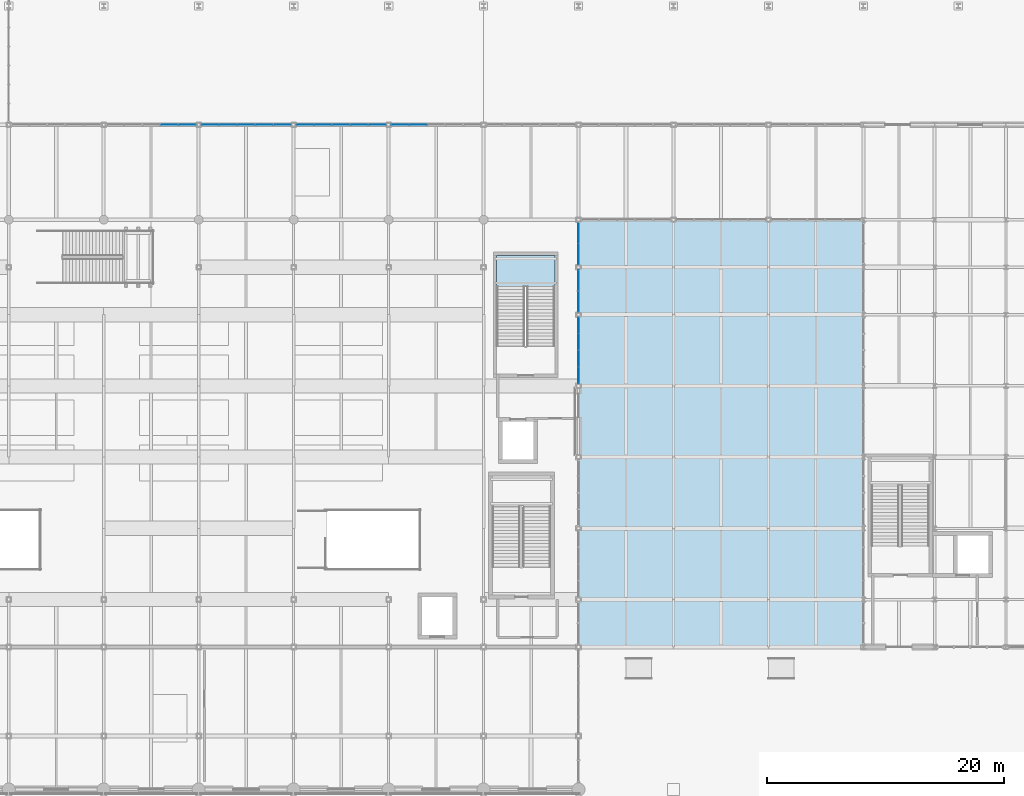
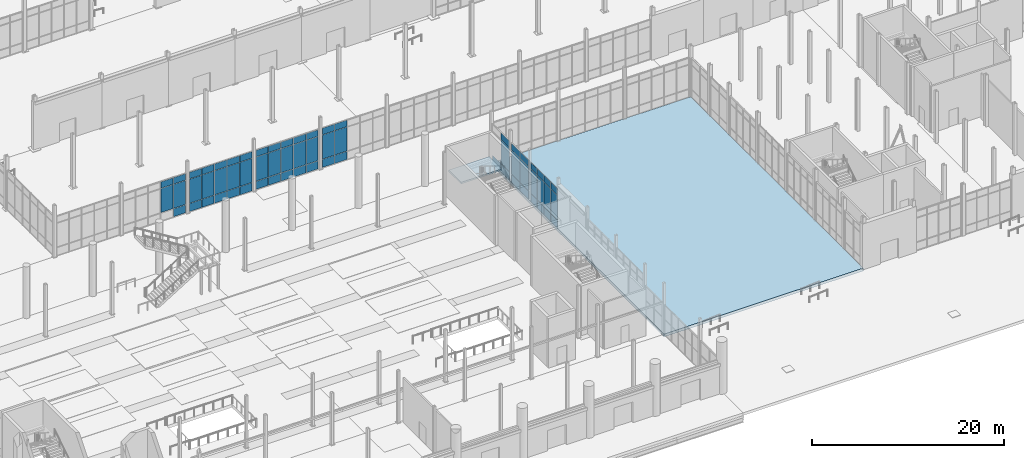
# One storey, part 100 of 140: 63 plates, 2 slabs, 8 elements without a shape of their own.
"""IFC4 building model written with IfcOpenShell, lengths in metres."""

from ifc_helpers import new_model, si_unit, direction, frame, origin, origin_2d, place, context, subcontext, project, spatial, polyline, rectangle, outline, extrude, material, layer, layer_set, type_object, element, aggregate, save


model = new_model("IFC4")

# Units and contexts
model_context = context("Model", 3, precision=1e-05, world=origin(), true_north=direction((0.0, 1.0)))
body_context = subcontext(model_context, "Body", "Model", "MODEL_VIEW")
ifc_project = project(units=[si_unit("LENGTHUNIT", "METRE"), si_unit("AREAUNIT", "SQUARE_METRE"), si_unit("VOLUMEUNIT", "CUBIC_METRE"), si_unit("PLANEANGLEUNIT", "RADIAN"), si_unit("MASSUNIT", "GRAM", prefix="KILO")], contexts=[model_context])

# Site, building, storey
site_placement = place(None, origin())
site = spatial("IfcSite", under=ifc_project, at=site_placement, CompositionType="ELEMENT")
building_placement = place(site_placement, origin())
building = spatial("IfcBuilding", under=site, at=building_placement, Name="Verrall Gate Interchange", CompositionType="ELEMENT")
storey_placement = place(building_placement, origin())
storey = spatial("IfcBuildingStorey", under=building, at=storey_placement, Name="L01", CompositionType="ELEMENT", Elevation=0.0)

# Curtain wall, plates
ifc_material_1 = material(Name="Thermally Broken Anodized Aluminium Curtain Wall Framing", Category="aluminium")
curtain_wall_type_1 = type_object("IfcCurtainWallType", Name="CW-05 Unitized Curtain Wall 3631x5100", PredefinedType="NOTDEFINED", material=ifc_material_1)
curtain_wall_1_placement = place(storey_placement, origin())
curtain_wall_1 = element("IfcCurtainWall", 1, at=curtain_wall_1_placement, inside=storey, type_object=curtain_wall_type_1, Name="L01 Unitized Curtain Wall CW-L01-008", PredefinedType="NOTDEFINED")
ifc_material_2 = material(Name="Triple-Glazed Low-E Argon Insulated Curtain Panel (U=1.45)", Category="glass")
ifc_layer_1 = layer(ifc_material_2, 0.030029296875)
ifc_layer_set_1 = layer_set([ifc_layer_1], Name="Triple-Glazed Low-E Argon Insulated Curtain Panel (U=1.45)")
plate_type_1 = type_object("IfcPlateType", Name="CP-01 Curtain Glazing Panel 30", PredefinedType="CURTAIN_PANEL", material=ifc_layer_set_1)
plate_1_placement = place(storey_placement, frame((108.0, 45.1083984375, 0.0546875), z_axis=(0.0, 0.0, 1.0), x_axis=(0.0, 1.0, 0.0)))
plate_1 = element("IfcPlate", 2, at=plate_1_placement, type_object=plate_type_1, Name="CW-L01-008 Glazing Panel 1.1", PredefinedType="CURTAIN_PANEL", context=body_context, shape_type="SweptSolid", body=[
    extrude(rectangle(XDim=1.73876953125, YDim=0.030029296875, at=origin_2d()), origin(), (0.0, 0.0, 1.0), 1.023193359375),
])
plate_2_placement = place(storey_placement, frame((108.0, 45.1083984375, 1.1220703125), z_axis=(0.0, 0.0, 1.0), x_axis=(0.0, 1.0, 0.0)))
plate_2 = element("IfcPlate", 3, at=plate_2_placement, type_object=plate_type_1, Name="CW-L01-008 Glazing Panel 1.2", PredefinedType="CURTAIN_PANEL", context=body_context, shape_type="SweptSolid", body=[
    extrude(rectangle(XDim=1.73876953125, YDim=0.030029296875, at=origin_2d()), origin(), (0.0, 0.0, 1.0), 3.055908203125),
])
plate_3_placement = place(storey_placement, frame((108.0, 45.1083984375, 4.22216796875), z_axis=(0.0, 0.0, 1.0), x_axis=(0.0, 1.0, 0.0)))
plate_3 = element("IfcPlate", 4, at=plate_3_placement, type_object=plate_type_1, Name="CW-L01-008 Glazing Panel 1.3", PredefinedType="CURTAIN_PANEL", context=body_context, shape_type="SweptSolid", body=[
    extrude(rectangle(XDim=1.73876953125, YDim=0.030029296875, at=origin_2d()), origin(), (0.0, 0.0, 1.0), 0.8232421875),
])
plate_4_placement = place(storey_placement, frame((108.0, 46.8916015625, 0.0546875), z_axis=(0.0, 0.0, 1.0), x_axis=(0.0, 1.0, 0.0)))
plate_4 = element("IfcPlate", 5, at=plate_4_placement, type_object=plate_type_1, Name="CW-L01-008 Glazing Panel 2.1", PredefinedType="CURTAIN_PANEL", context=body_context, shape_type="SweptSolid", body=[
    extrude(rectangle(XDim=1.73876953125, YDim=0.030029296875, at=origin_2d()), origin(), (0.0, 0.0, 1.0), 1.023193359375),
])
aggregate(curtain_wall_1, [plate_1, plate_2, plate_3, plate_4])

ifc_material_3 = material(Name="Thermally Broken Anodized Aluminium Curtain Wall Framing", Category="aluminium")
curtain_wall_type_2 = type_object("IfcCurtainWallType", Name="CW-06 Unitized Curtain Wall 7631x5100", PredefinedType="NOTDEFINED", material=ifc_material_3)
curtain_wall_2_placement = place(storey_placement, origin())
curtain_wall_2 = element("IfcCurtainWall", 6, at=curtain_wall_2_placement, inside=storey, type_object=curtain_wall_type_2, Name="L01 Unitized Curtain Wall CW-L01-016", PredefinedType="NOTDEFINED")
plate_5_placement = place(storey_placement, frame((94.473876953125, 56.0, 0.0546875), z_axis=(0.0, 0.0, 1.0), x_axis=(-1.0, 0.0, 0.0)))
plate_5 = element("IfcPlate", 7, at=plate_5_placement, type_object=plate_type_1, Name="CW-L01-016 Glazing Panel 4.1", PredefinedType="CURTAIN_PANEL", context=body_context, shape_type="SweptSolid", body=[
    extrude(rectangle(XDim=1.48193359375, YDim=0.030029296875, at=origin_2d()), origin(), (0.0, 0.0, 1.0), 1.023193359375),
])
plate_6_placement = place(storey_placement, frame((94.473876953125, 56.0, 1.1220703125), z_axis=(0.0, 0.0, 1.0), x_axis=(-1.0, 0.0, 0.0)))
plate_6 = element("IfcPlate", 8, at=plate_6_placement, type_object=plate_type_1, Name="CW-L01-016 Glazing Panel 4.2", PredefinedType="CURTAIN_PANEL", context=body_context, shape_type="SweptSolid", body=[
    extrude(rectangle(XDim=1.48193359375, YDim=0.030029296875, at=origin_2d()), origin(), (0.0, 0.0, 1.0), 3.055908203125),
])
plate_7_placement = place(storey_placement, frame((94.473876953125, 56.0, 4.22216796875), z_axis=(0.0, 0.0, 1.0), x_axis=(-1.0, 0.0, 0.0)))
plate_7 = element("IfcPlate", 9, at=plate_7_placement, type_object=plate_type_1, Name="CW-L01-016 Glazing Panel 4.3", PredefinedType="CURTAIN_PANEL", context=body_context, shape_type="SweptSolid", body=[
    extrude(rectangle(XDim=1.48193359375, YDim=0.030029296875, at=origin_2d()), origin(), (0.0, 0.0, 1.0), 0.8232421875),
])
plate_8_placement = place(storey_placement, frame((92.9638671875, 56.0, 0.0546875), z_axis=(0.0, 0.0, 1.0), x_axis=(-1.0, 0.0, 0.0)))
plate_8 = element("IfcPlate", 10, at=plate_8_placement, type_object=plate_type_1, Name="CW-L01-016 Glazing Panel 5.1", PredefinedType="CURTAIN_PANEL", context=body_context, shape_type="SweptSolid", body=[
    extrude(rectangle(XDim=1.449462890625, YDim=0.030029296875, at=origin_2d()), origin(), (0.0, 0.0, 1.0), 1.023193359375),
])
plate_9_placement = place(storey_placement, frame((92.9638671875, 56.0, 1.1220703125), z_axis=(0.0, 0.0, 1.0), x_axis=(-1.0, 0.0, 0.0)))
plate_9 = element("IfcPlate", 11, at=plate_9_placement, type_object=plate_type_1, Name="CW-L01-016 Glazing Panel 5.2", PredefinedType="CURTAIN_PANEL", context=body_context, shape_type="SweptSolid", body=[
    extrude(rectangle(XDim=1.449462890625, YDim=0.030029296875, at=origin_2d()), origin(), (0.0, 0.0, 1.0), 3.055908203125),
])
plate_10_placement = place(storey_placement, frame((92.9638671875, 56.0, 4.22216796875), z_axis=(0.0, 0.0, 1.0), x_axis=(-1.0, 0.0, 0.0)))
plate_10 = element("IfcPlate", 12, at=plate_10_placement, type_object=plate_type_1, Name="CW-L01-016 Glazing Panel 5.3", PredefinedType="CURTAIN_PANEL", context=body_context, shape_type="SweptSolid", body=[
    extrude(rectangle(XDim=1.449462890625, YDim=0.030029296875, at=origin_2d()), origin(), (0.0, 0.0, 1.0), 0.8232421875),
])
aggregate(curtain_wall_2, [plate_5, plate_6, plate_7, plate_8, plate_9, plate_10])

curtain_wall_3_placement = place(storey_placement, origin())
curtain_wall_3 = element("IfcCurtainWall", 13, at=curtain_wall_3_placement, inside=storey, type_object=curtain_wall_type_2, Name="L01 Unitized Curtain Wall CW-L01-017", PredefinedType="NOTDEFINED")
plate_11_placement = place(storey_placement, frame((91.03369140625, 56.0, 0.06298828125), z_axis=(0.0, 0.0, 1.0), x_axis=(-1.0, 0.0, 0.0)))
plate_11 = element("IfcPlate", 14, at=plate_11_placement, type_object=plate_type_1, Name="CW-L01-017 Glazing Panel 1.1", PredefinedType="CURTAIN_PANEL", context=body_context, shape_type="SweptSolid", body=[
    extrude(rectangle(XDim=1.437744140625, YDim=0.030029296875, at=origin_2d()), origin(), (0.0, 0.0, 1.0), 1.011474609375),
])
plate_12_placement = place(storey_placement, frame((91.03369140625, 56.0, 1.12548828125), z_axis=(0.0, 0.0, 1.0), x_axis=(-1.0, 0.0, 0.0)))
plate_12 = element("IfcPlate", 15, at=plate_12_placement, type_object=plate_type_1, Name="CW-L01-017 Glazing Panel 1.2", PredefinedType="CURTAIN_PANEL", context=body_context, shape_type="SweptSolid", body=[
    extrude(rectangle(XDim=1.437744140625, YDim=0.030029296875, at=origin_2d()), origin(), (0.0, 0.0, 1.0), 3.049072265625),
])
plate_13_placement = place(storey_placement, frame((91.03369140625, 56.0, 4.225341796875), z_axis=(0.0, 0.0, 1.0), x_axis=(-1.0, 0.0, 0.0)))
plate_13 = element("IfcPlate", 16, at=plate_13_placement, type_object=plate_type_1, Name="CW-L01-017 Glazing Panel 1.3", PredefinedType="CURTAIN_PANEL", context=body_context, shape_type="SweptSolid", body=[
    extrude(rectangle(XDim=1.437744140625, YDim=0.030029296875, at=origin_2d()), origin(), (0.0, 0.0, 1.0), 0.8115234375),
])
plate_14_placement = place(storey_placement, frame((89.526123046875, 56.0, 0.06298828125), z_axis=(0.0, 0.0, 1.0), x_axis=(-1.0, 0.0, 0.0)))
plate_14 = element("IfcPlate", 17, at=plate_14_placement, type_object=plate_type_1, Name="CW-L01-017 Glazing Panel 2.1", PredefinedType="CURTAIN_PANEL", context=body_context, shape_type="SweptSolid", body=[
    extrude(rectangle(XDim=1.47509765625, YDim=0.030029296875, at=origin_2d()), origin(), (0.0, 0.0, 1.0), 1.011474609375),
])
plate_15_placement = place(storey_placement, frame((89.526123046875, 56.0, 1.12548828125), z_axis=(0.0, 0.0, 1.0), x_axis=(-1.0, 0.0, 0.0)))
plate_15 = element("IfcPlate", 18, at=plate_15_placement, type_object=plate_type_1, Name="CW-L01-017 Glazing Panel 2.2", PredefinedType="CURTAIN_PANEL", context=body_context, shape_type="SweptSolid", body=[
    extrude(rectangle(XDim=1.47509765625, YDim=0.030029296875, at=origin_2d()), origin(), (0.0, 0.0, 1.0), 3.049072265625),
])
plate_16_placement = place(storey_placement, frame((89.526123046875, 56.0, 4.225341796875), z_axis=(0.0, 0.0, 1.0), x_axis=(-1.0, 0.0, 0.0)))
plate_16 = element("IfcPlate", 19, at=plate_16_placement, type_object=plate_type_1, Name="CW-L01-017 Glazing Panel 2.3", PredefinedType="CURTAIN_PANEL", context=body_context, shape_type="SweptSolid", body=[
    extrude(rectangle(XDim=1.47509765625, YDim=0.030029296875, at=origin_2d()), origin(), (0.0, 0.0, 1.0), 0.8115234375),
])
plate_17_placement = place(storey_placement, frame((88.0, 56.0, 0.06298828125), z_axis=(0.0, 0.0, 1.0), x_axis=(-1.0, 0.0, 0.0)))
plate_17 = element("IfcPlate", 20, at=plate_17_placement, type_object=plate_type_1, Name="CW-L01-017 Glazing Panel 3.1", PredefinedType="CURTAIN_PANEL", context=body_context, shape_type="SweptSolid", body=[
    extrude(rectangle(XDim=1.47509765625, YDim=0.030029296875, at=origin_2d()), origin(), (0.0, 0.0, 1.0), 1.011474609375),
])
plate_18_placement = place(storey_placement, frame((88.0, 56.0, 1.12548828125), z_axis=(0.0, 0.0, 1.0), x_axis=(-1.0, 0.0, 0.0)))
plate_18 = element("IfcPlate", 21, at=plate_18_placement, type_object=plate_type_1, Name="CW-L01-017 Glazing Panel 3.2", PredefinedType="CURTAIN_PANEL", context=body_context, shape_type="SweptSolid", body=[
    extrude(rectangle(XDim=1.47509765625, YDim=0.030029296875, at=origin_2d()), origin(), (0.0, 0.0, 1.0), 3.049072265625),
])
plate_19_placement = place(storey_placement, frame((88.0, 56.0, 4.225341796875), z_axis=(0.0, 0.0, 1.0), x_axis=(-1.0, 0.0, 0.0)))
plate_19 = element("IfcPlate", 22, at=plate_19_placement, type_object=plate_type_1, Name="CW-L01-017 Glazing Panel 3.3", PredefinedType="CURTAIN_PANEL", context=body_context, shape_type="SweptSolid", body=[
    extrude(rectangle(XDim=1.47509765625, YDim=0.030029296875, at=origin_2d()), origin(), (0.0, 0.0, 1.0), 0.8115234375),
])
plate_20_placement = place(storey_placement, frame((86.473876953125, 56.0, 0.06298828125), z_axis=(0.0, 0.0, 1.0), x_axis=(-1.0, 0.0, 0.0)))
plate_20 = element("IfcPlate", 23, at=plate_20_placement, type_object=plate_type_1, Name="CW-L01-017 Glazing Panel 4.1", PredefinedType="CURTAIN_PANEL", context=body_context, shape_type="SweptSolid", body=[
    extrude(rectangle(XDim=1.47509765625, YDim=0.030029296875, at=origin_2d()), origin(), (0.0, 0.0, 1.0), 1.011474609375),
])
plate_21_placement = place(storey_placement, frame((86.473876953125, 56.0, 1.12548828125), z_axis=(0.0, 0.0, 1.0), x_axis=(-1.0, 0.0, 0.0)))
plate_21 = element("IfcPlate", 24, at=plate_21_placement, type_object=plate_type_1, Name="CW-L01-017 Glazing Panel 4.2", PredefinedType="CURTAIN_PANEL", context=body_context, shape_type="SweptSolid", body=[
    extrude(rectangle(XDim=1.47509765625, YDim=0.030029296875, at=origin_2d()), origin(), (0.0, 0.0, 1.0), 3.049072265625),
])
plate_22_placement = place(storey_placement, frame((86.473876953125, 56.0, 4.225341796875), z_axis=(0.0, 0.0, 1.0), x_axis=(-1.0, 0.0, 0.0)))
plate_22 = element("IfcPlate", 25, at=plate_22_placement, type_object=plate_type_1, Name="CW-L01-017 Glazing Panel 4.3", PredefinedType="CURTAIN_PANEL", context=body_context, shape_type="SweptSolid", body=[
    extrude(rectangle(XDim=1.47509765625, YDim=0.030029296875, at=origin_2d()), origin(), (0.0, 0.0, 1.0), 0.8115234375),
])
plate_23_placement = place(storey_placement, frame((84.96630859375, 56.0, 0.06298828125), z_axis=(0.0, 0.0, 1.0), x_axis=(-1.0, 0.0, 0.0)))
plate_23 = element("IfcPlate", 26, at=plate_23_placement, type_object=plate_type_1, Name="CW-L01-017 Glazing Panel 5.1", PredefinedType="CURTAIN_PANEL", context=body_context, shape_type="SweptSolid", body=[
    extrude(rectangle(XDim=1.437744140625, YDim=0.030029296875, at=origin_2d()), origin(), (0.0, 0.0, 1.0), 1.011474609375),
])
plate_24_placement = place(storey_placement, frame((84.96630859375, 56.0, 1.12548828125), z_axis=(0.0, 0.0, 1.0), x_axis=(-1.0, 0.0, 0.0)))
plate_24 = element("IfcPlate", 27, at=plate_24_placement, type_object=plate_type_1, Name="CW-L01-017 Glazing Panel 5.2", PredefinedType="CURTAIN_PANEL", context=body_context, shape_type="SweptSolid", body=[
    extrude(rectangle(XDim=1.437744140625, YDim=0.030029296875, at=origin_2d()), origin(), (0.0, 0.0, 1.0), 3.049072265625),
])
plate_25_placement = place(storey_placement, frame((84.96630859375, 56.0, 4.225341796875), z_axis=(0.0, 0.0, 1.0), x_axis=(-1.0, 0.0, 0.0)))
plate_25 = element("IfcPlate", 28, at=plate_25_placement, type_object=plate_type_1, Name="CW-L01-017 Glazing Panel 5.3", PredefinedType="CURTAIN_PANEL", context=body_context, shape_type="SweptSolid", body=[
    extrude(rectangle(XDim=1.437744140625, YDim=0.030029296875, at=origin_2d()), origin(), (0.0, 0.0, 1.0), 0.8115234375),
])
aggregate(curtain_wall_3, [plate_11, plate_12, plate_13, plate_14, plate_15, plate_16, plate_17, plate_18, plate_19, plate_20, plate_21, plate_22, plate_23, plate_24, plate_25])

ifc_material_4 = material(Name="Thermally Broken Anodized Aluminium Curtain Wall Framing", Category="aluminium")
curtain_wall_type_3 = type_object("IfcCurtainWallType", Name="CW-04 Unitized Curtain Wall 5631x5100", PredefinedType="NOTDEFINED", material=ifc_material_4)
curtain_wall_4_placement = place(storey_placement, origin())
curtain_wall_4 = element("IfcCurtainWall", 29, at=curtain_wall_4_placement, inside=storey, type_object=curtain_wall_type_3, Name="L01 Unitized Curtain Wall CW-L01-006", PredefinedType="NOTDEFINED")
ifc_material_5 = material(Name="Triple-Glazed Low-E Argon Insulated Curtain Panel (U=1.45)", Category="glass")
ifc_layer_2 = layer(ifc_material_5, 0.0400390625)
ifc_layer_set_2 = layer_set([ifc_layer_2], Name="Triple-Glazed Low-E Argon Insulated Curtain Panel (U=1.45)")
plate_type_2 = type_object("IfcPlateType", Name="CP-02 Curtain Glazing Panel 40", PredefinedType="CURTAIN_PANEL", material=ifc_layer_set_2)
plate_26_placement = place(storey_placement, frame((108.0, 34.904541015625, 0.0546875), z_axis=(0.0, 0.0, 1.0), x_axis=(0.0, 1.0, 0.0)))
plate_26 = element("IfcPlate", 30, at=plate_26_placement, type_object=plate_type_2, Name="CW-L01-006 Glazing Panel 1.1", PredefinedType="CURTAIN_PANEL", context=body_context, shape_type="SweptSolid", body=[
    extrude(rectangle(XDim=1.3310546875, YDim=0.0400390625, at=origin_2d()), origin(), (0.0, 0.0, 1.0), 1.023193359375),
])
plate_27_placement = place(storey_placement, frame((108.0, 34.904541015625, 1.1220703125), z_axis=(0.0, 0.0, 1.0), x_axis=(0.0, 1.0, 0.0)))
plate_27 = element("IfcPlate", 31, at=plate_27_placement, type_object=plate_type_2, Name="CW-L01-006 Glazing Panel 1.2", PredefinedType="CURTAIN_PANEL", context=body_context, shape_type="SweptSolid", body=[
    extrude(rectangle(XDim=1.3310546875, YDim=0.0400390625, at=origin_2d()), origin(), (0.0, 0.0, 1.0), 3.055908203125),
])
plate_28_placement = place(storey_placement, frame((108.0, 34.904541015625, 4.22216796875), z_axis=(0.0, 0.0, 1.0), x_axis=(0.0, 1.0, 0.0)))
plate_28 = element("IfcPlate", 32, at=plate_28_placement, type_object=plate_type_2, Name="CW-L01-006 Glazing Panel 1.3", PredefinedType="CURTAIN_PANEL", context=body_context, shape_type="SweptSolid", body=[
    extrude(rectangle(XDim=1.3310546875, YDim=0.0400390625, at=origin_2d()), origin(), (0.0, 0.0, 1.0), 0.8232421875),
])
plate_29_placement = place(storey_placement, frame((108.0, 36.296142578125, 0.0546875), z_axis=(0.0, 0.0, 1.0), x_axis=(0.0, 1.0, 0.0)))
plate_29 = element("IfcPlate", 33, at=plate_29_placement, type_object=plate_type_2, Name="CW-L01-006 Glazing Panel 2.1", PredefinedType="CURTAIN_PANEL", context=body_context, shape_type="SweptSolid", body=[
    extrude(rectangle(XDim=1.363525390625, YDim=0.0400390625, at=origin_2d()), origin(), (0.0, 0.0, 1.0), 1.023193359375),
])
plate_30_placement = place(storey_placement, frame((108.0, 36.296142578125, 1.1220703125), z_axis=(0.0, 0.0, 1.0), x_axis=(0.0, 1.0, 0.0)))
plate_30 = element("IfcPlate", 34, at=plate_30_placement, type_object=plate_type_2, Name="CW-L01-006 Glazing Panel 2.2", PredefinedType="CURTAIN_PANEL", context=body_context, shape_type="SweptSolid", body=[
    extrude(rectangle(XDim=1.363525390625, YDim=0.0400390625, at=origin_2d()), origin(), (0.0, 0.0, 1.0), 3.055908203125),
])
plate_31_placement = place(storey_placement, frame((108.0, 36.296142578125, 4.22216796875), z_axis=(0.0, 0.0, 1.0), x_axis=(0.0, 1.0, 0.0)))
plate_31 = element("IfcPlate", 35, at=plate_31_placement, type_object=plate_type_2, Name="CW-L01-006 Glazing Panel 2.3", PredefinedType="CURTAIN_PANEL", context=body_context, shape_type="SweptSolid", body=[
    extrude(rectangle(XDim=1.363525390625, YDim=0.0400390625, at=origin_2d()), origin(), (0.0, 0.0, 1.0), 0.8232421875),
])
plate_32_placement = place(storey_placement, frame((108.0, 37.703857421875, 0.0546875), z_axis=(0.0, 0.0, 1.0), x_axis=(0.0, 1.0, 0.0)))
plate_32 = element("IfcPlate", 36, at=plate_32_placement, type_object=plate_type_2, Name="CW-L01-006 Glazing Panel 3.1", PredefinedType="CURTAIN_PANEL", context=body_context, shape_type="SweptSolid", body=[
    extrude(rectangle(XDim=1.363525390625, YDim=0.0400390625, at=origin_2d()), origin(), (0.0, 0.0, 1.0), 1.023193359375),
])
plate_33_placement = place(storey_placement, frame((108.0, 37.703857421875, 1.1220703125), z_axis=(0.0, 0.0, 1.0), x_axis=(0.0, 1.0, 0.0)))
plate_33 = element("IfcPlate", 37, at=plate_33_placement, type_object=plate_type_2, Name="CW-L01-006 Glazing Panel 3.2", PredefinedType="CURTAIN_PANEL", context=body_context, shape_type="SweptSolid", body=[
    extrude(rectangle(XDim=1.363525390625, YDim=0.0400390625, at=origin_2d()), origin(), (0.0, 0.0, 1.0), 3.055908203125),
])
plate_34_placement = place(storey_placement, frame((108.0, 37.703857421875, 4.22216796875), z_axis=(0.0, 0.0, 1.0), x_axis=(0.0, 1.0, 0.0)))
plate_34 = element("IfcPlate", 38, at=plate_34_placement, type_object=plate_type_2, Name="CW-L01-006 Glazing Panel 3.3", PredefinedType="CURTAIN_PANEL", context=body_context, shape_type="SweptSolid", body=[
    extrude(rectangle(XDim=1.363525390625, YDim=0.0400390625, at=origin_2d()), origin(), (0.0, 0.0, 1.0), 0.8232421875),
])
plate_35_placement = place(storey_placement, frame((108.0, 39.095458984375, 0.0546875), z_axis=(0.0, 0.0, 1.0), x_axis=(0.0, 1.0, 0.0)))
plate_35 = element("IfcPlate", 39, at=plate_35_placement, type_object=plate_type_2, Name="CW-L01-006 Glazing Panel 4.1", PredefinedType="CURTAIN_PANEL", context=body_context, shape_type="SweptSolid", body=[
    extrude(rectangle(XDim=1.3310546875, YDim=0.0400390625, at=origin_2d()), origin(), (0.0, 0.0, 1.0), 1.023193359375),
])
plate_36_placement = place(storey_placement, frame((108.0, 39.095458984375, 1.1220703125), z_axis=(0.0, 0.0, 1.0), x_axis=(0.0, 1.0, 0.0)))
plate_36 = element("IfcPlate", 40, at=plate_36_placement, type_object=plate_type_2, Name="CW-L01-006 Glazing Panel 4.2", PredefinedType="CURTAIN_PANEL", context=body_context, shape_type="SweptSolid", body=[
    extrude(rectangle(XDim=1.3310546875, YDim=0.0400390625, at=origin_2d()), origin(), (0.0, 0.0, 1.0), 3.055908203125),
])
plate_37_placement = place(storey_placement, frame((108.0, 39.095458984375, 4.22216796875), z_axis=(0.0, 0.0, 1.0), x_axis=(0.0, 1.0, 0.0)))
plate_37 = element("IfcPlate", 41, at=plate_37_placement, type_object=plate_type_2, Name="CW-L01-006 Glazing Panel 4.3", PredefinedType="CURTAIN_PANEL", context=body_context, shape_type="SweptSolid", body=[
    extrude(rectangle(XDim=1.3310546875, YDim=0.0400390625, at=origin_2d()), origin(), (0.0, 0.0, 1.0), 0.8232421875),
])
aggregate(curtain_wall_4, [plate_26, plate_27, plate_28, plate_29, plate_30, plate_31, plate_32, plate_33, plate_34, plate_35, plate_36, plate_37])

curtain_wall_5_placement = place(storey_placement, origin())
curtain_wall_5 = element("IfcCurtainWall", 42, at=curtain_wall_5_placement, inside=storey, type_object=curtain_wall_type_1, Name="L01 Unitized Curtain Wall CW-L01-007", PredefinedType="NOTDEFINED")
plate_38_placement = place(storey_placement, frame((108.0, 41.111083984375, 0.06298828125), z_axis=(0.0, 0.0, 1.0), x_axis=(0.0, 1.0, 0.0)))
plate_38 = element("IfcPlate", 43, at=plate_38_placement, type_object=plate_type_2, Name="CW-L01-007 Glazing Panel 1.1", PredefinedType="CURTAIN_PANEL", context=body_context, shape_type="SweptSolid", body=[
    extrude(rectangle(XDim=1.72705078125, YDim=0.0400390625, at=origin_2d()), origin(), (0.0, 0.0, 1.0), 1.011474609375),
])
plate_39_placement = place(storey_placement, frame((108.0, 41.111083984375, 1.12548828125), z_axis=(0.0, 0.0, 1.0), x_axis=(0.0, 1.0, 0.0)))
plate_39 = element("IfcPlate", 44, at=plate_39_placement, type_object=plate_type_2, Name="CW-L01-007 Glazing Panel 1.2", PredefinedType="CURTAIN_PANEL", context=body_context, shape_type="SweptSolid", body=[
    extrude(rectangle(XDim=1.72705078125, YDim=0.0400390625, at=origin_2d()), origin(), (0.0, 0.0, 1.0), 3.049072265625),
])
plate_40_placement = place(storey_placement, frame((108.0, 41.111083984375, 4.225341796875), z_axis=(0.0, 0.0, 1.0), x_axis=(0.0, 1.0, 0.0)))
plate_40 = element("IfcPlate", 45, at=plate_40_placement, type_object=plate_type_2, Name="CW-L01-007 Glazing Panel 1.3", PredefinedType="CURTAIN_PANEL", context=body_context, shape_type="SweptSolid", body=[
    extrude(rectangle(XDim=1.72705078125, YDim=0.0400390625, at=origin_2d()), origin(), (0.0, 0.0, 1.0), 0.8115234375),
])
plate_41_placement = place(storey_placement, frame((108.0, 42.888916015625, 0.06298828125), z_axis=(0.0, 0.0, 1.0), x_axis=(0.0, 1.0, 0.0)))
plate_41 = element("IfcPlate", 46, at=plate_41_placement, type_object=plate_type_2, Name="CW-L01-007 Glazing Panel 2.1", PredefinedType="CURTAIN_PANEL", context=body_context, shape_type="SweptSolid", body=[
    extrude(rectangle(XDim=1.72705078125, YDim=0.0400390625, at=origin_2d()), origin(), (0.0, 0.0, 1.0), 1.011474609375),
])
plate_42_placement = place(storey_placement, frame((108.0, 42.888916015625, 1.12548828125), z_axis=(0.0, 0.0, 1.0), x_axis=(0.0, 1.0, 0.0)))
plate_42 = element("IfcPlate", 47, at=plate_42_placement, type_object=plate_type_2, Name="CW-L01-007 Glazing Panel 2.2", PredefinedType="CURTAIN_PANEL", context=body_context, shape_type="SweptSolid", body=[
    extrude(rectangle(XDim=1.72705078125, YDim=0.0400390625, at=origin_2d()), origin(), (0.0, 0.0, 1.0), 3.049072265625),
])
plate_43_placement = place(storey_placement, frame((108.0, 42.888916015625, 4.225341796875), z_axis=(0.0, 0.0, 1.0), x_axis=(0.0, 1.0, 0.0)))
plate_43 = element("IfcPlate", 48, at=plate_43_placement, type_object=plate_type_2, Name="CW-L01-007 Glazing Panel 2.3", PredefinedType="CURTAIN_PANEL", context=body_context, shape_type="SweptSolid", body=[
    extrude(rectangle(XDim=1.72705078125, YDim=0.0400390625, at=origin_2d()), origin(), (0.0, 0.0, 1.0), 0.8115234375),
])
aggregate(curtain_wall_5, [plate_38, plate_39, plate_40, plate_41, plate_42, plate_43])

curtain_wall_6_placement = place(storey_placement, origin())
curtain_wall_6 = element("IfcCurtainWall", 49, at=curtain_wall_6_placement, inside=storey, type_object=curtain_wall_type_2, Name="L01 Unitized Curtain Wall CW-L01-018", PredefinedType="NOTDEFINED")
plate_44_placement = place(storey_placement, frame((83.0361328125, 56.0, 0.0546875), z_axis=(0.0, 0.0, 1.0), x_axis=(-1.0, 0.0, 0.0)))
plate_44 = element("IfcPlate", 50, at=plate_44_placement, type_object=plate_type_2, Name="CW-L01-018 Glazing Panel 1.1", PredefinedType="CURTAIN_PANEL", context=body_context, shape_type="SweptSolid", body=[
    extrude(rectangle(XDim=1.449462890625, YDim=0.0400390625, at=origin_2d()), origin(), (0.0, 0.0, 1.0), 1.023193359375),
])
plate_45_placement = place(storey_placement, frame((83.0361328125, 56.0, 1.1220703125), z_axis=(0.0, 0.0, 1.0), x_axis=(-1.0, 0.0, 0.0)))
plate_45 = element("IfcPlate", 51, at=plate_45_placement, type_object=plate_type_2, Name="CW-L01-018 Glazing Panel 1.2", PredefinedType="CURTAIN_PANEL", context=body_context, shape_type="SweptSolid", body=[
    extrude(rectangle(XDim=1.449462890625, YDim=0.0400390625, at=origin_2d()), origin(), (0.0, 0.0, 1.0), 3.055908203125),
])
plate_46_placement = place(storey_placement, frame((83.0361328125, 56.0, 4.22216796875), z_axis=(0.0, 0.0, 1.0), x_axis=(-1.0, 0.0, 0.0)))
plate_46 = element("IfcPlate", 52, at=plate_46_placement, type_object=plate_type_2, Name="CW-L01-018 Glazing Panel 1.3", PredefinedType="CURTAIN_PANEL", context=body_context, shape_type="SweptSolid", body=[
    extrude(rectangle(XDim=1.449462890625, YDim=0.0400390625, at=origin_2d()), origin(), (0.0, 0.0, 1.0), 0.8232421875),
])
plate_47_placement = place(storey_placement, frame((81.526123046875, 56.0, 0.0546875), z_axis=(0.0, 0.0, 1.0), x_axis=(-1.0, 0.0, 0.0)))
plate_47 = element("IfcPlate", 53, at=plate_47_placement, type_object=plate_type_2, Name="CW-L01-018 Glazing Panel 2.1", PredefinedType="CURTAIN_PANEL", context=body_context, shape_type="SweptSolid", body=[
    extrude(rectangle(XDim=1.48193359375, YDim=0.0400390625, at=origin_2d()), origin(), (0.0, 0.0, 1.0), 1.023193359375),
])
plate_48_placement = place(storey_placement, frame((81.526123046875, 56.0, 1.1220703125), z_axis=(0.0, 0.0, 1.0), x_axis=(-1.0, 0.0, 0.0)))
plate_48 = element("IfcPlate", 54, at=plate_48_placement, type_object=plate_type_2, Name="CW-L01-018 Glazing Panel 2.2", PredefinedType="CURTAIN_PANEL", context=body_context, shape_type="SweptSolid", body=[
    extrude(rectangle(XDim=1.48193359375, YDim=0.0400390625, at=origin_2d()), origin(), (0.0, 0.0, 1.0), 3.055908203125),
])
plate_49_placement = place(storey_placement, frame((81.526123046875, 56.0, 4.22216796875), z_axis=(0.0, 0.0, 1.0), x_axis=(-1.0, 0.0, 0.0)))
plate_49 = element("IfcPlate", 55, at=plate_49_placement, type_object=plate_type_2, Name="CW-L01-018 Glazing Panel 2.3", PredefinedType="CURTAIN_PANEL", context=body_context, shape_type="SweptSolid", body=[
    extrude(rectangle(XDim=1.48193359375, YDim=0.0400390625, at=origin_2d()), origin(), (0.0, 0.0, 1.0), 0.8232421875),
])
plate_50_placement = place(storey_placement, frame((80.0, 56.0, 0.0546875), z_axis=(0.0, 0.0, 1.0), x_axis=(-1.0, 0.0, 0.0)))
plate_50 = element("IfcPlate", 56, at=plate_50_placement, type_object=plate_type_2, Name="CW-L01-018 Glazing Panel 3.1", PredefinedType="CURTAIN_PANEL", context=body_context, shape_type="SweptSolid", body=[
    extrude(rectangle(XDim=1.48193359375, YDim=0.0400390625, at=origin_2d()), origin(), (0.0, 0.0, 1.0), 1.023193359375),
])
plate_51_placement = place(storey_placement, frame((80.0, 56.0, 1.1220703125), z_axis=(0.0, 0.0, 1.0), x_axis=(-1.0, 0.0, 0.0)))
plate_51 = element("IfcPlate", 57, at=plate_51_placement, type_object=plate_type_2, Name="CW-L01-018 Glazing Panel 3.2", PredefinedType="CURTAIN_PANEL", context=body_context, shape_type="SweptSolid", body=[
    extrude(rectangle(XDim=1.48193359375, YDim=0.0400390625, at=origin_2d()), origin(), (0.0, 0.0, 1.0), 3.055908203125),
])
plate_52_placement = place(storey_placement, frame((80.0, 56.0, 4.22216796875), z_axis=(0.0, 0.0, 1.0), x_axis=(-1.0, 0.0, 0.0)))
plate_52 = element("IfcPlate", 58, at=plate_52_placement, type_object=plate_type_2, Name="CW-L01-018 Glazing Panel 3.3", PredefinedType="CURTAIN_PANEL", context=body_context, shape_type="SweptSolid", body=[
    extrude(rectangle(XDim=1.48193359375, YDim=0.0400390625, at=origin_2d()), origin(), (0.0, 0.0, 1.0), 0.8232421875),
])
plate_53_placement = place(storey_placement, frame((78.473876953125, 56.0, 0.0546875), z_axis=(0.0, 0.0, 1.0), x_axis=(-1.0, 0.0, 0.0)))
plate_53 = element("IfcPlate", 59, at=plate_53_placement, type_object=plate_type_2, Name="CW-L01-018 Glazing Panel 4.1", PredefinedType="CURTAIN_PANEL", context=body_context, shape_type="SweptSolid", body=[
    extrude(rectangle(XDim=1.48193359375, YDim=0.0400390625, at=origin_2d()), origin(), (0.0, 0.0, 1.0), 1.023193359375),
])
plate_54_placement = place(storey_placement, frame((78.473876953125, 56.0, 1.1220703125), z_axis=(0.0, 0.0, 1.0), x_axis=(-1.0, 0.0, 0.0)))
plate_54 = element("IfcPlate", 60, at=plate_54_placement, type_object=plate_type_2, Name="CW-L01-018 Glazing Panel 4.2", PredefinedType="CURTAIN_PANEL", context=body_context, shape_type="SweptSolid", body=[
    extrude(rectangle(XDim=1.48193359375, YDim=0.0400390625, at=origin_2d()), origin(), (0.0, 0.0, 1.0), 3.055908203125),
])
plate_55_placement = place(storey_placement, frame((78.473876953125, 56.0, 4.22216796875), z_axis=(0.0, 0.0, 1.0), x_axis=(-1.0, 0.0, 0.0)))
plate_55 = element("IfcPlate", 61, at=plate_55_placement, type_object=plate_type_2, Name="CW-L01-018 Glazing Panel 4.3", PredefinedType="CURTAIN_PANEL", context=body_context, shape_type="SweptSolid", body=[
    extrude(rectangle(XDim=1.48193359375, YDim=0.0400390625, at=origin_2d()), origin(), (0.0, 0.0, 1.0), 0.8232421875),
])
plate_56_placement = place(storey_placement, frame((76.9638671875, 56.0, 0.0546875), z_axis=(0.0, 0.0, 1.0), x_axis=(-1.0, 0.0, 0.0)))
plate_56 = element("IfcPlate", 62, at=plate_56_placement, type_object=plate_type_2, Name="CW-L01-018 Glazing Panel 5.1", PredefinedType="CURTAIN_PANEL", context=body_context, shape_type="SweptSolid", body=[
    extrude(rectangle(XDim=1.449462890625, YDim=0.0400390625, at=origin_2d()), origin(), (0.0, 0.0, 1.0), 1.023193359375),
])
plate_57_placement = place(storey_placement, frame((76.9638671875, 56.0, 1.1220703125), z_axis=(0.0, 0.0, 1.0), x_axis=(-1.0, 0.0, 0.0)))
plate_57 = element("IfcPlate", 63, at=plate_57_placement, type_object=plate_type_2, Name="CW-L01-018 Glazing Panel 5.2", PredefinedType="CURTAIN_PANEL", context=body_context, shape_type="SweptSolid", body=[
    extrude(rectangle(XDim=1.449462890625, YDim=0.0400390625, at=origin_2d()), origin(), (0.0, 0.0, 1.0), 3.055908203125),
])
plate_58_placement = place(storey_placement, frame((76.9638671875, 56.0, 4.22216796875), z_axis=(0.0, 0.0, 1.0), x_axis=(-1.0, 0.0, 0.0)))
plate_58 = element("IfcPlate", 64, at=plate_58_placement, type_object=plate_type_2, Name="CW-L01-018 Glazing Panel 5.3", PredefinedType="CURTAIN_PANEL", context=body_context, shape_type="SweptSolid", body=[
    extrude(rectangle(XDim=1.449462890625, YDim=0.0400390625, at=origin_2d()), origin(), (0.0, 0.0, 1.0), 0.8232421875),
])
aggregate(curtain_wall_6, [plate_44, plate_45, plate_46, plate_47, plate_48, plate_49, plate_50, plate_51, plate_52, plate_53, plate_54, plate_55, plate_56, plate_57, plate_58])

curtain_wall_7_placement = place(storey_placement, origin())
curtain_wall_7 = element("IfcCurtainWall", 65, at=curtain_wall_7_placement, inside=storey, type_object=curtain_wall_type_2, Name="L01 Unitized Curtain Wall CW-L01-019", PredefinedType="NOTDEFINED")
plate_59_placement = place(storey_placement, frame((75.03369140625, 56.0, 0.06298828125), z_axis=(0.0, 0.0, 1.0), x_axis=(-1.0, 0.0, 0.0)))
plate_59 = element("IfcPlate", 66, at=plate_59_placement, type_object=plate_type_2, Name="CW-L01-019 Glazing Panel 1.1", PredefinedType="CURTAIN_PANEL", context=body_context, shape_type="SweptSolid", body=[
    extrude(rectangle(XDim=1.437744140625, YDim=0.0400390625, at=origin_2d()), origin(), (0.0, 0.0, 1.0), 1.011474609375),
])
plate_60_placement = place(storey_placement, frame((75.03369140625, 56.0, 1.12548828125), z_axis=(0.0, 0.0, 1.0), x_axis=(-1.0, 0.0, 0.0)))
plate_60 = element("IfcPlate", 67, at=plate_60_placement, type_object=plate_type_2, Name="CW-L01-019 Glazing Panel 1.2", PredefinedType="CURTAIN_PANEL", context=body_context, shape_type="SweptSolid", body=[
    extrude(rectangle(XDim=1.437744140625, YDim=0.0400390625, at=origin_2d()), origin(), (0.0, 0.0, 1.0), 3.049072265625),
])
plate_61_placement = place(storey_placement, frame((75.03369140625, 56.0, 4.225341796875), z_axis=(0.0, 0.0, 1.0), x_axis=(-1.0, 0.0, 0.0)))
plate_61 = element("IfcPlate", 68, at=plate_61_placement, type_object=plate_type_2, Name="CW-L01-019 Glazing Panel 1.3", PredefinedType="CURTAIN_PANEL", context=body_context, shape_type="SweptSolid", body=[
    extrude(rectangle(XDim=1.437744140625, YDim=0.0400390625, at=origin_2d()), origin(), (0.0, 0.0, 1.0), 0.8115234375),
])
plate_62_placement = place(storey_placement, frame((73.526123046875, 56.0, 1.12548828125), z_axis=(0.0, 0.0, 1.0), x_axis=(-1.0, 0.0, 0.0)))
plate_62 = element("IfcPlate", 69, at=plate_62_placement, type_object=plate_type_2, Name="CW-L01-019 Glazing Panel 2.2", PredefinedType="CURTAIN_PANEL", context=body_context, shape_type="SweptSolid", body=[
    extrude(rectangle(XDim=1.47509765625, YDim=0.0400390625, at=origin_2d()), origin(), (0.0, 0.0, 1.0), 3.049072265625),
])
plate_63_placement = place(storey_placement, frame((73.526123046875, 56.0, 4.225341796875), z_axis=(0.0, 0.0, 1.0), x_axis=(-1.0, 0.0, 0.0)))
plate_63 = element("IfcPlate", 70, at=plate_63_placement, type_object=plate_type_2, Name="CW-L01-019 Glazing Panel 2.3", PredefinedType="CURTAIN_PANEL", context=body_context, shape_type="SweptSolid", body=[
    extrude(rectangle(XDim=1.47509765625, YDim=0.0400390625, at=origin_2d()), origin(), (0.0, 0.0, 1.0), 0.8115234375),
])
aggregate(curtain_wall_7, [plate_59, plate_60, plate_61, plate_62, plate_63])

# Slab
ifc_material_6 = material(Name="Concrete CSA A23.1 40 MPa (Class C-1)", Category="concrete")
ifc_layer_3 = layer(ifc_material_6, 0.35009765625)
ifc_layer_set_3 = layer_set([ifc_layer_3], Name="Concrete CSA A23.1 40 MPa (Class C-1)")
slab_type_1 = type_object("IfcSlabType", Name="FS-05 Floor Slab 350", PredefinedType="FLOOR", material=ifc_layer_set_3)
slab_1_placement = place(storey_placement, frame((0.0, 0.0, -0.35009765625)))
element("IfcSlab", 71, at=slab_1_placement, inside=storey, type_object=slab_type_1, Name="L01 Structural Slab SLB-L01-AP9", PredefinedType="FLOOR", context=body_context, shape_type="SweptSolid", body=[
    extrude(outline(polyline([(108.0, 48.0), (132.0, 48.0), (132.0, 12.0), (108.0, 12.0), (108.0, 48.0)])), origin(), (0.0, 0.0, 1.0), 0.35009765625),
])

# Stair, slab
ifc_material_7 = material(Name="Concrete CSA A23.1 40 MPa (Class N)", Category="concrete")
stair_type = type_object("IfcStairType", Name="ST-T13 Straight-Flight Return Exit Stair W2350 H6600", PredefinedType="STRAIGHT_RUN_STAIR", material=ifc_material_7)
stair_placement = place(storey_placement, origin())
stair = element("IfcStair", 72, at=stair_placement, inside=storey, type_object=stair_type, Name="L01 ST-07", PredefinedType="STRAIGHT_RUN_STAIR")
ifc_material_8 = material(Name="Concrete CSA A23.1 40 MPa (Class N)", Category="concrete")
ifc_layer_4 = layer(ifc_material_8, 0.18994140625)
ifc_layer_set_4 = layer_set([ifc_layer_4], Name="Concrete CSA A23.1 40 MPa (Class N)")
slab_type_2 = type_object("IfcSlabType", Name="LS-01 Stair Landing Slab 190", PredefinedType="LANDING", material=ifc_layer_set_4)
slab_2_placement = place(storey_placement, frame((0.0, 0.0, 3.10009765625)))
slab_2 = element("IfcSlab", 73, at=slab_2_placement, type_object=slab_type_2, Name="ST-07 landing 1", PredefinedType="LANDING", context=body_context, shape_type="SweptSolid", body=[
    extrude(outline(polyline([(106.0, 42.389892578125), (106.0, 45.0), (101.10009765625, 45.0), (101.10009765625, 42.389892578125), (106.0, 42.389892578125)])), origin(), (0.0, 0.0, 1.0), 0.199951171875),
])
aggregate(stair, [slab_2])

save(model, "model.ifc")
